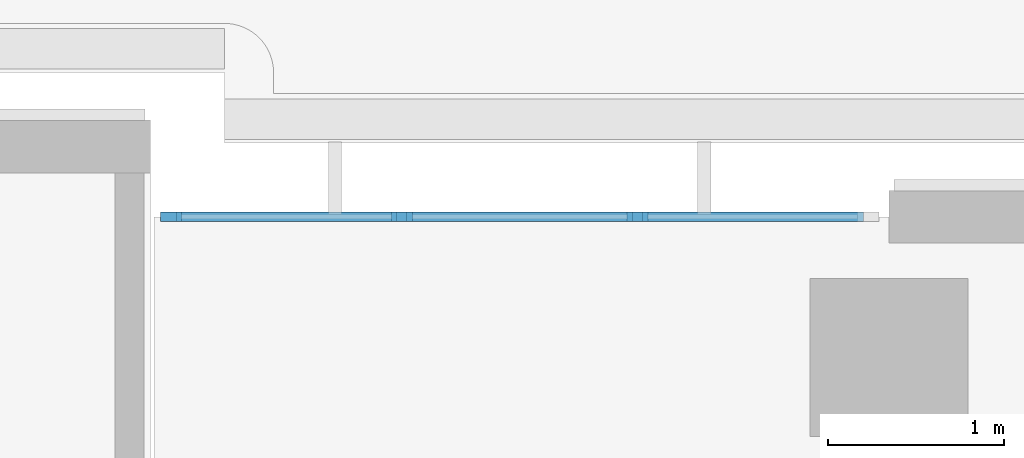
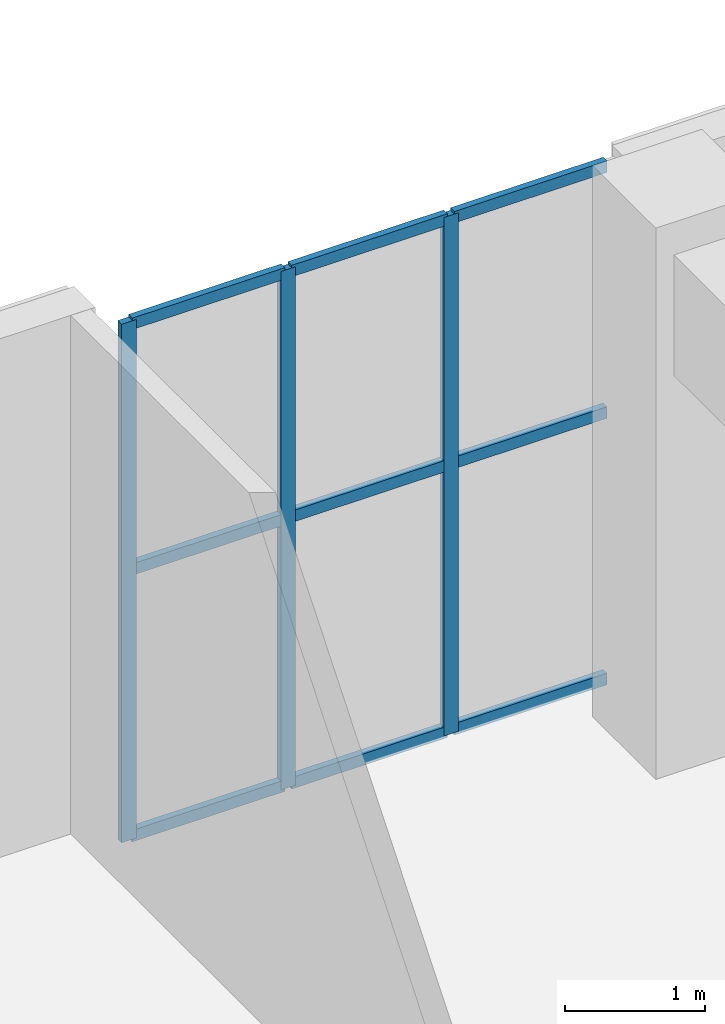
# One storey, part 35 of 96: 12 members, 1 element without a shape of its own.
"""IFC4 building model written with IfcOpenShell, lengths in metres."""

from ifc_helpers import new_model, si_unit, direction, frame, origin, origin_2d, place, context, subcontext, project, spatial, rectangle, extrude, material, layer, layer_set, material_profile, profile_set, type_object, element, aggregate, save


model = new_model("IFC4")

# Units and contexts
model_context = context("Model", 3, precision=1e-05, world=origin(), true_north=direction((0.0, 1.0)))
body_context = subcontext(model_context, "Body", "Model", "MODEL_VIEW")
ifc_project = project(units=[si_unit("LENGTHUNIT", "METRE"), si_unit("AREAUNIT", "SQUARE_METRE"), si_unit("VOLUMEUNIT", "CUBIC_METRE"), si_unit("PLANEANGLEUNIT", "RADIAN"), si_unit("MASSUNIT", "GRAM", prefix="KILO")], contexts=[model_context])

# Site, building, storey
site_placement = place(None, origin())
site = spatial("IfcSite", under=ifc_project, at=site_placement, CompositionType="ELEMENT")
building_placement = place(site_placement, origin())
building = spatial("IfcBuilding", under=site, at=building_placement, Name="Cendralis Terraced Arcade", CompositionType="ELEMENT")
storey_placement = place(building_placement, frame((0.0, 0.0, 10.199951171875)))
storey = spatial("IfcBuildingStorey", under=building, at=storey_placement, Name="L02", CompositionType="ELEMENT", Elevation=10.199951171875)

# Curtain wall, members
ifc_material = material(Name="Anodised aluminium EN AW-6063 T6", Category="aluminium")
ifc_layer = layer(ifc_material, 0.1201171875, Name="CW-STORE-B")
ifc_layer_set = layer_set([ifc_layer], Name="Anodised aluminium EN AW-6063 T6")
curtain_wall_type = type_object("IfcCurtainWallType", Name="CW-STORE-B", PredefinedType="USERDEFINED", material=ifc_layer_set)
curtain_wall_placement = place(storey_placement, origin())
curtain_wall = element("IfcCurtainWall", 1, at=curtain_wall_placement, inside=storey, type_object=curtain_wall_type, Name="Exterior Storefront Glazing CW-L02-0156", ObjectType="STOREFRONT GLAZING", PredefinedType="USERDEFINED")
ifc_material_profile_1 = material_profile(ifc_material, rectangle(XDim=0.054931640625, YDim=0.1201171875, at=origin_2d()), Name="ALU-MUL-55x120")
ifc_profile_set_1 = profile_set([ifc_material_profile_1], Name="Anodised aluminium EN AW-6063 T6")
member_type_1 = type_object("IfcMemberType", Name="CW-STORE-B-MUL", PredefinedType="MULLION", material=ifc_profile_set_1)
member_1_placement = place(storey_placement, frame((126.117431640625, 112.39990234375, 0.0), z_axis=(0.0, 0.0, 1.0), x_axis=(0.0, 1.0, 0.0)))
member_1 = element("IfcMember", 2, at=member_1_placement, type_object=member_type_1, Name="CW-S2 mullion 1", PredefinedType="MULLION", context=body_context, shape_type="SweptSolid", body=[
    extrude(rectangle(XDim=0.054931640625, YDim=0.1201171875, at=origin_2d()), origin(), (0.0, 0.0, 1.0), 4.51513671875),
])
member_2_placement = place(storey_placement, frame((127.429931640625, 112.39990234375, 0.0), z_axis=(0.0, 0.0, 1.0), x_axis=(0.0, 1.0, 0.0)))
member_2 = element("IfcMember", 3, at=member_2_placement, type_object=member_type_1, Name="CW-S2 mullion 2", PredefinedType="MULLION", context=body_context, shape_type="SweptSolid", body=[
    extrude(rectangle(XDim=0.054931640625, YDim=0.1201171875, at=origin_2d()), origin(), (0.0, 0.0, 1.0), 4.51513671875),
])
member_3_placement = place(storey_placement, frame((128.77001953125, 112.39990234375, 0.0), z_axis=(0.0, 0.0, 1.0), x_axis=(0.0, 1.0, 0.0)))
member_3 = element("IfcMember", 4, at=member_3_placement, type_object=member_type_1, Name="CW-S2 mullion 3", PredefinedType="MULLION", context=body_context, shape_type="SweptSolid", body=[
    extrude(rectangle(XDim=0.054931640625, YDim=0.1201171875, at=origin_2d()), origin(), (0.0, 0.0, 1.0), 4.51513671875),
])
ifc_material_profile_2 = material_profile(ifc_material, rectangle(XDim=0.054931640625, YDim=0.10009765625, at=origin_2d()), Name="ALU-TRN-55x100")
ifc_profile_set_2 = profile_set([ifc_material_profile_2], Name="Anodised aluminium EN AW-6063 T6")
member_type_2 = type_object("IfcMemberType", Name="CW-STORE-B-TRN", PredefinedType="USERDEFINED", material=ifc_profile_set_2)
member_4_placement = place(storey_placement, frame((126.14501953125, 112.39990234375, 0.027587890625), z_axis=(1.0, 0.0, 0.0), x_axis=(0.0, 1.0, 0.0)))
member_4 = element("IfcMember", 5, at=member_4_placement, type_object=member_type_2, Name="CW-S2 transom 1.1", ObjectType="TRANSOM", PredefinedType="USERDEFINED", context=body_context, shape_type="SweptSolid", body=[
    extrude(rectangle(XDim=0.054931640625, YDim=0.10009765625, at=origin_2d()), origin(), (0.0, 0.0, 1.0), 1.257568359375),
])
member_5_placement = place(storey_placement, frame((126.14501953125, 112.39990234375, 2.347900390625), z_axis=(1.0, 0.0, 0.0), x_axis=(0.0, 1.0, 0.0)))
member_5 = element("IfcMember", 6, at=member_5_placement, type_object=member_type_2, Name="CW-S2 transom 1.2", ObjectType="TRANSOM", PredefinedType="USERDEFINED", context=body_context, shape_type="SweptSolid", body=[
    extrude(rectangle(XDim=0.054931640625, YDim=0.10009765625, at=origin_2d()), origin(), (0.0, 0.0, 1.0), 1.257568359375),
])
member_6_placement = place(storey_placement, frame((126.14501953125, 112.39990234375, 4.487548828125), z_axis=(1.0, 0.0, 0.0), x_axis=(0.0, 1.0, 0.0)))
member_6 = element("IfcMember", 7, at=member_6_placement, type_object=member_type_2, Name="CW-S2 transom 1.3", ObjectType="TRANSOM", PredefinedType="USERDEFINED", context=body_context, shape_type="SweptSolid", body=[
    extrude(rectangle(XDim=0.054931640625, YDim=0.10009765625, at=origin_2d()), origin(), (0.0, 0.0, 1.0), 1.257568359375),
])
member_7_placement = place(storey_placement, frame((127.45751953125, 112.39990234375, 0.027587890625), z_axis=(1.0, 0.0, 0.0), x_axis=(0.0, 1.0, 0.0)))
member_7 = element("IfcMember", 8, at=member_7_placement, type_object=member_type_2, Name="CW-S2 transom 2.1", ObjectType="TRANSOM", PredefinedType="USERDEFINED", context=body_context, shape_type="SweptSolid", body=[
    extrude(rectangle(XDim=0.054931640625, YDim=0.10009765625, at=origin_2d()), origin(), (0.0, 0.0, 1.0), 1.284912109375),
])
member_8_placement = place(storey_placement, frame((127.45751953125, 112.39990234375, 2.347900390625), z_axis=(1.0, 0.0, 0.0), x_axis=(0.0, 1.0, 0.0)))
member_8 = element("IfcMember", 9, at=member_8_placement, type_object=member_type_2, Name="CW-S2 transom 2.2", ObjectType="TRANSOM", PredefinedType="USERDEFINED", context=body_context, shape_type="SweptSolid", body=[
    extrude(rectangle(XDim=0.054931640625, YDim=0.10009765625, at=origin_2d()), origin(), (0.0, 0.0, 1.0), 1.284912109375),
])
member_9_placement = place(storey_placement, frame((127.45751953125, 112.39990234375, 4.487548828125), z_axis=(1.0, 0.0, 0.0), x_axis=(0.0, 1.0, 0.0)))
member_9 = element("IfcMember", 10, at=member_9_placement, type_object=member_type_2, Name="CW-S2 transom 2.3", ObjectType="TRANSOM", PredefinedType="USERDEFINED", context=body_context, shape_type="SweptSolid", body=[
    extrude(rectangle(XDim=0.054931640625, YDim=0.10009765625, at=origin_2d()), origin(), (0.0, 0.0, 1.0), 1.284912109375),
])
member_10_placement = place(storey_placement, frame((128.797607421875, 112.39990234375, 0.027587890625), z_axis=(1.0, 0.0, 0.0), x_axis=(0.0, 1.0, 0.0)))
member_10 = element("IfcMember", 11, at=member_10_placement, type_object=member_type_2, Name="CW-S2 transom 3.1", ObjectType="TRANSOM", PredefinedType="USERDEFINED", context=body_context, shape_type="SweptSolid", body=[
    extrude(rectangle(XDim=0.054931640625, YDim=0.10009765625, at=origin_2d()), origin(), (0.0, 0.0, 1.0), 1.25732421875),
])
member_11_placement = place(storey_placement, frame((128.797607421875, 112.39990234375, 2.347900390625), z_axis=(1.0, 0.0, 0.0), x_axis=(0.0, 1.0, 0.0)))
member_11 = element("IfcMember", 12, at=member_11_placement, type_object=member_type_2, Name="CW-S2 transom 3.2", ObjectType="TRANSOM", PredefinedType="USERDEFINED", context=body_context, shape_type="SweptSolid", body=[
    extrude(rectangle(XDim=0.054931640625, YDim=0.10009765625, at=origin_2d()), origin(), (0.0, 0.0, 1.0), 1.25732421875),
])
member_12_placement = place(storey_placement, frame((128.797607421875, 112.39990234375, 4.487548828125), z_axis=(1.0, 0.0, 0.0), x_axis=(0.0, 1.0, 0.0)))
member_12 = element("IfcMember", 13, at=member_12_placement, type_object=member_type_2, Name="CW-S2 transom 3.3", ObjectType="TRANSOM", PredefinedType="USERDEFINED", context=body_context, shape_type="SweptSolid", body=[
    extrude(rectangle(XDim=0.054931640625, YDim=0.10009765625, at=origin_2d()), origin(), (0.0, 0.0, 1.0), 1.25732421875),
])
aggregate(curtain_wall, [member_1, member_2, member_3, member_4, member_5, member_6, member_7, member_8, member_9, member_10, member_11, member_12])

save(model, "model.ifc")
